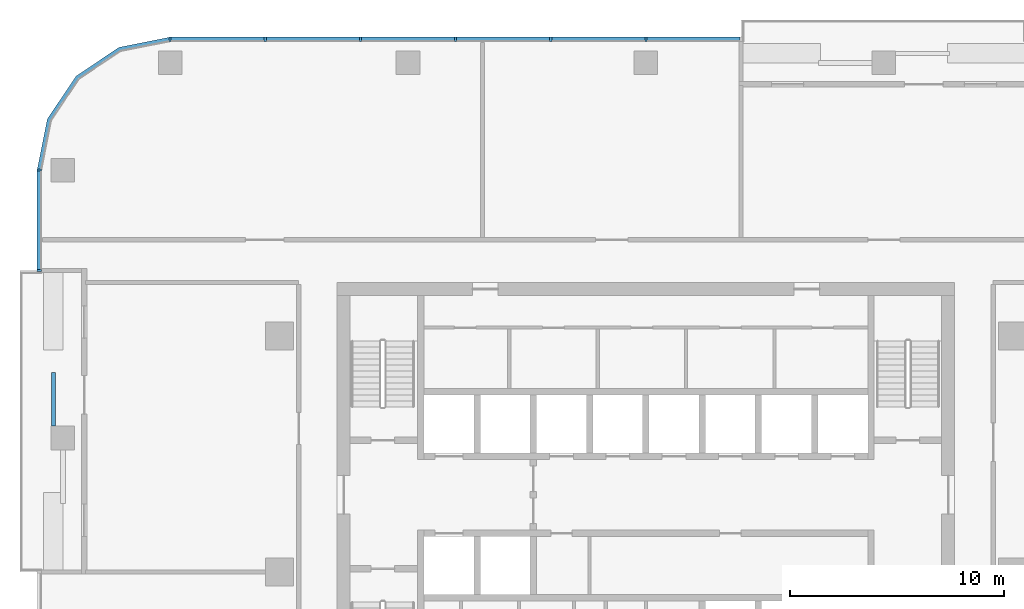
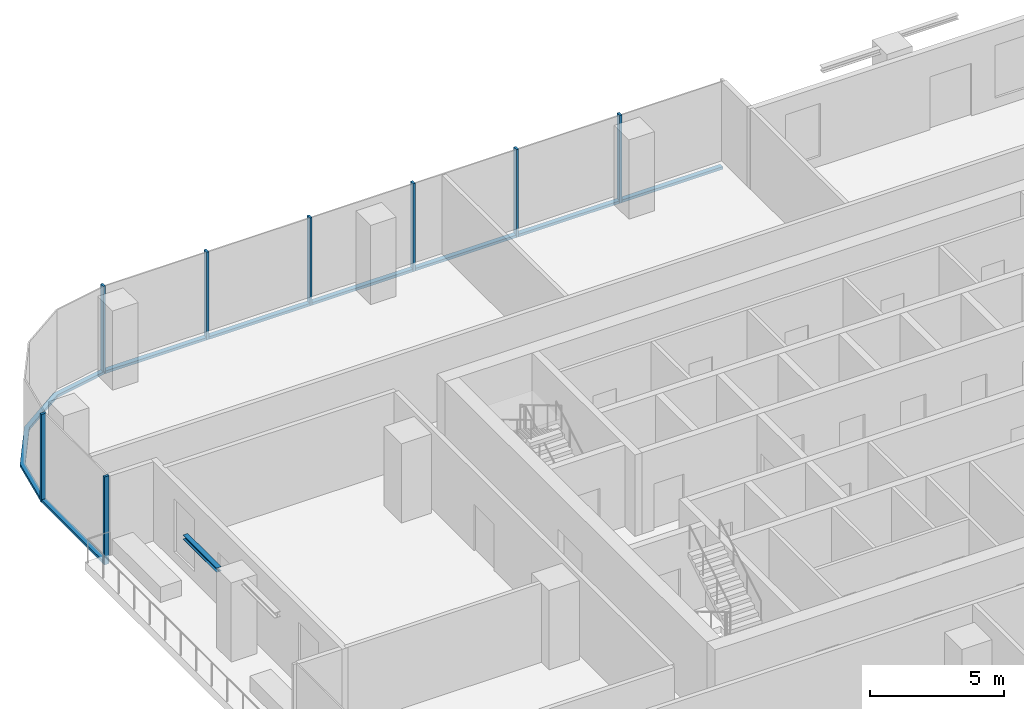
# One storey, part 4 of 14: 16 members, 1 beam, 3 elements without a shape of their own.
"""IFC4 building model written with IfcOpenShell, lengths in metres."""

from ifc_helpers import new_model, si_unit, direction, frame, origin, origin_2d, place, context, subcontext, project, spatial, polyline, rectangle, i_section, outline, extrude, material, material_profile, profile_set, type_object, element, aggregate, save


model = new_model("IFC4")

# Units and contexts
model_context = context("Model", 3, precision=1e-05, world=origin(), true_north=direction((0.0, 1.0)))
body_context = subcontext(model_context, "Body", "Model", "MODEL_VIEW")
ifc_project = project(units=[si_unit("LENGTHUNIT", "METRE"), si_unit("AREAUNIT", "SQUARE_METRE"), si_unit("VOLUMEUNIT", "CUBIC_METRE"), si_unit("PLANEANGLEUNIT", "RADIAN"), si_unit("MASSUNIT", "GRAM", prefix="KILO")], contexts=[model_context])

# Site, building, storey
site_placement = place(None, origin())
site = spatial("IfcSite", under=ifc_project, at=site_placement, CompositionType="ELEMENT")
building_placement = place(site_placement, origin())
building = spatial("IfcBuilding", under=site, at=building_placement, Name="Mopane Tessera Tower", CompositionType="ELEMENT")
storey_placement = place(building_placement, frame((0.0, 0.0, 239.0)))
storey = spatial("IfcBuildingStorey", under=building, at=storey_placement, Name="L51", CompositionType="ELEMENT", Elevation=239.0)

# Curtain wall, members
ifc_material_1 = material(Name="Aluminium frame", Category="aluminium")
curtain_wall_type = type_object("IfcCurtainWallType", Name="Unitised curtain wall", PredefinedType="NOTDEFINED", material=ifc_material_1)
curtain_wall_1_placement = place(storey_placement, origin())
curtain_wall_1 = element("IfcCurtainWall", 1, at=curtain_wall_1_placement, inside=storey, type_object=curtain_wall_type, Name="e:cw:L51:N:4", PredefinedType="NOTDEFINED")
ifc_material_2 = material(Name="Aluminium frame", Category="aluminium")
ifc_material_profile_1 = material_profile(ifc_material_2, rectangle(XDim=0.10009765625, YDim=0.199951171875, at=origin_2d()))
ifc_profile_set_1 = profile_set([ifc_material_profile_1], Name="Aluminium frame")
member_type_1 = type_object("IfcMemberType", Name="Aluminium mullion 100 x 200", PredefinedType="MULLION", material=ifc_profile_set_1)
member_1_placement = place(storey_placement, frame((0.0, 24.85009765625, -0.39990234375), z_axis=(0.0, 0.0, 1.0), x_axis=(-1.0, 0.0, 0.0)))
member_1 = element("IfcMember", 2, at=member_1_placement, type_object=member_type_1, Name="e:cw:L51:N:4:mu5", PredefinedType="MULLION", context=body_context, shape_type="SweptSolid", body=[
    extrude(rectangle(XDim=0.10009765625, YDim=0.199951171875, at=origin_2d()), origin(), (0.0, 0.0, 1.0), 4.0),
])
member_2_placement = place(storey_placement, frame((-4.43994140625, 24.85009765625, -0.39990234375), z_axis=(0.0, 0.0, 1.0), x_axis=(-1.0, 0.0, 0.0)))
member_2 = element("IfcMember", 3, at=member_2_placement, type_object=member_type_1, Name="e:cw:L51:N:4:mu6", PredefinedType="MULLION", context=body_context, shape_type="SweptSolid", body=[
    extrude(rectangle(XDim=0.10009765625, YDim=0.199951171875, at=origin_2d()), origin(), (0.0, 0.0, 1.0), 4.0),
])
member_3_placement = place(storey_placement, frame((-8.8798828125, 24.85009765625, -0.39990234375), z_axis=(0.0, 0.0, 1.0), x_axis=(-1.0, 0.0, 0.0)))
member_3 = element("IfcMember", 4, at=member_3_placement, type_object=member_type_1, Name="e:cw:L51:N:4:mu7", PredefinedType="MULLION", context=body_context, shape_type="SweptSolid", body=[
    extrude(rectangle(XDim=0.10009765625, YDim=0.199951171875, at=origin_2d()), origin(), (0.0, 0.0, 1.0), 4.0),
])
member_4_placement = place(storey_placement, frame((-13.320068359375, 24.85009765625, -0.39990234375), z_axis=(0.0, 0.0, 1.0), x_axis=(-1.0, 0.0, 0.0)))
member_4 = element("IfcMember", 5, at=member_4_placement, type_object=member_type_1, Name="e:cw:L51:N:4:mu8", PredefinedType="MULLION", context=body_context, shape_type="SweptSolid", body=[
    extrude(rectangle(XDim=0.10009765625, YDim=0.199951171875, at=origin_2d()), origin(), (0.0, 0.0, 1.0), 4.0),
])
member_5_placement = place(storey_placement, frame((-17.760009765625, 24.85009765625, -0.39990234375), z_axis=(0.0, 0.0, 1.0), x_axis=(-1.0, 0.0, 0.0)))
member_5 = element("IfcMember", 6, at=member_5_placement, type_object=member_type_1, Name="e:cw:L51:N:4:mu9", PredefinedType="MULLION", context=body_context, shape_type="SweptSolid", body=[
    extrude(rectangle(XDim=0.10009765625, YDim=0.199951171875, at=origin_2d()), origin(), (0.0, 0.0, 1.0), 4.0),
])
member_6_placement = place(storey_placement, frame((-22.199951171875, 24.85009765625, -0.39990234375), z_axis=(0.0, 0.0, 1.0), x_axis=(-1.0, 0.0, 0.0)))
member_6 = element("IfcMember", 7, at=member_6_placement, type_object=member_type_1, Name="e:cw:L51:N:4:mu10", PredefinedType="MULLION", context=body_context, shape_type="SweptSolid", body=[
    extrude(rectangle(XDim=0.10009765625, YDim=0.199951171875, at=origin_2d()), origin(), (0.0, 0.0, 1.0), 4.0),
])

curtain_wall_2_placement = place(storey_placement, origin())
curtain_wall_2 = element("IfcCurtainWall", 8, at=curtain_wall_2_placement, inside=storey, type_object=curtain_wall_type, Name="e:cw:L51:W:0", PredefinedType="NOTDEFINED")
member_7_placement = place(storey_placement, frame((-28.300048828125, 18.75, -0.39990234375), z_axis=(0.0, 0.0, 1.0), x_axis=(0.0, -1.0, 0.0)))
member_7 = element("IfcMember", 9, at=member_7_placement, type_object=member_type_1, Name="e:cw:L51:W:0:mu0", PredefinedType="MULLION", context=body_context, shape_type="SweptSolid", body=[
    extrude(rectangle(XDim=0.10009765625, YDim=0.199951171875, at=origin_2d()), origin(), (0.0, 0.0, 1.0), 4.0),
])
member_8_placement = place(storey_placement, frame((-28.300048828125, 14.0625, -0.39990234375), z_axis=(0.0, 0.0, 1.0), x_axis=(0.0, -1.0, 0.0)))
member_8 = element("IfcMember", 10, at=member_8_placement, type_object=member_type_1, Name="e:cw:L51:W:0:mu1", PredefinedType="MULLION", context=body_context, shape_type="SweptSolid", body=[
    extrude(rectangle(XDim=0.10009765625, YDim=0.199951171875, at=origin_2d()), origin(), (0.0, 0.0, 1.0), 4.0),
])

# Member
ifc_material_3 = material(Name="Aluminium frame", Category="aluminium")
ifc_material_profile_2 = material_profile(ifc_material_3, rectangle(XDim=0.199951171875, YDim=0.1201171875, at=origin_2d()))
ifc_profile_set_2 = profile_set([ifc_material_profile_2], Name="Aluminium frame")
member_type_2 = type_object("IfcMemberType", Name="Aluminium transom 200 x 120", PredefinedType="USERDEFINED", material=ifc_profile_set_2)
member_9_placement = place(storey_placement, frame((4.389892578125, 24.85009765625, -0.340087890625), z_axis=(-1.0, 0.0, 0.0), x_axis=(0.0, -1.0, 0.0)))
member_9 = element("IfcMember", 11, at=member_9_placement, type_object=member_type_2, Name="e:cw:L51:N:4:tr4", ObjectType="TRANSOM", PredefinedType="USERDEFINED", context=body_context, shape_type="SweptSolid", body=[
    extrude(rectangle(XDim=0.199951171875, YDim=0.1201171875, at=origin_2d()), origin(), (0.0, 0.0, 1.0), 4.33984375),
])

member_10_placement = place(storey_placement, frame((-0.050048828125, 24.85009765625, -0.340087890625), z_axis=(-1.0, 0.0, 0.0), x_axis=(0.0, -1.0, 0.0)))
member_10 = element("IfcMember", 12, at=member_10_placement, type_object=member_type_2, Name="e:cw:L51:N:4:tr5", ObjectType="TRANSOM", PredefinedType="USERDEFINED", context=body_context, shape_type="SweptSolid", body=[
    extrude(rectangle(XDim=0.199951171875, YDim=0.1201171875, at=origin_2d()), origin(), (0.0, 0.0, 1.0), 4.33984375),
])

member_11_placement = place(storey_placement, frame((-4.489990234375, 24.85009765625, -0.340087890625), z_axis=(-1.0, 0.0, 0.0), x_axis=(0.0, -1.0, 0.0)))
member_11 = element("IfcMember", 13, at=member_11_placement, type_object=member_type_2, Name="e:cw:L51:N:4:tr6", ObjectType="TRANSOM", PredefinedType="USERDEFINED", context=body_context, shape_type="SweptSolid", body=[
    extrude(rectangle(XDim=0.199951171875, YDim=0.1201171875, at=origin_2d()), origin(), (0.0, 0.0, 1.0), 4.340087890625),
])

member_12_placement = place(storey_placement, frame((-8.929931640625, 24.85009765625, -0.340087890625), z_axis=(-1.0, 0.0, 0.0), x_axis=(0.0, -1.0, 0.0)))
member_12 = element("IfcMember", 14, at=member_12_placement, type_object=member_type_2, Name="e:cw:L51:N:4:tr7", ObjectType="TRANSOM", PredefinedType="USERDEFINED", context=body_context, shape_type="SweptSolid", body=[
    extrude(rectangle(XDim=0.199951171875, YDim=0.1201171875, at=origin_2d()), origin(), (0.0, 0.0, 1.0), 4.340087890625),
])

member_13_placement = place(storey_placement, frame((-13.3701171875, 24.85009765625, -0.340087890625), z_axis=(-1.0, 0.0, 0.0), x_axis=(0.0, -1.0, 0.0)))
member_13 = element("IfcMember", 15, at=member_13_placement, type_object=member_type_2, Name="e:cw:L51:N:4:tr8", ObjectType="TRANSOM", PredefinedType="USERDEFINED", context=body_context, shape_type="SweptSolid", body=[
    extrude(rectangle(XDim=0.199951171875, YDim=0.1201171875, at=origin_2d()), origin(), (0.0, 0.0, 1.0), 4.33984375),
])

member_14_placement = place(storey_placement, frame((-17.81005859375, 24.85009765625, -0.340087890625), z_axis=(-1.0, 0.0, 0.0), x_axis=(0.0, -1.0, 0.0)))
member_14 = element("IfcMember", 16, at=member_14_placement, type_object=member_type_2, Name="e:cw:L51:N:4:tr9", ObjectType="TRANSOM", PredefinedType="USERDEFINED", context=body_context, shape_type="SweptSolid", body=[
    extrude(rectangle(XDim=0.199951171875, YDim=0.1201171875, at=origin_2d()), origin(), (0.0, 0.0, 1.0), 4.33984375),
])

aggregate(curtain_wall_1, [member_1, member_2, member_3, member_4, member_5, member_6, member_9, member_10, member_11, member_12, member_13, member_14])

# Curtain wall, member
curtain_wall_3_placement = place(storey_placement, origin())
curtain_wall_3 = element("IfcCurtainWall", 17, at=curtain_wall_3_placement, inside=storey, type_object=curtain_wall_type, Name="e:cw:L51:CN", PredefinedType="NOTDEFINED")
member_15_placement = place(storey_placement, frame((0.0, 0.0, -0.39990234375)))
member_15 = element("IfcMember", 18, at=member_15_placement, type_object=member_type_2, Name="e:cw:L51:CN:tr", ObjectType="TRANSOM", PredefinedType="USERDEFINED", context=body_context, shape_type="SweptSolid", body=[
    extrude(outline(polyline([(-22.199951171875, 24.75), (-24.49609375, 24.293212890625), (-26.442626953125, 22.99267578125), (-27.7431640625, 21.046142578125), (-28.199951171875, 18.75), (-28.39990234375, 18.75), (-27.927978515625, 21.12255859375), (-26.583984375, 23.134033203125), (-24.57275390625, 24.47802734375), (-22.199951171875, 24.949951171875), (-22.199951171875, 24.75)])), origin(), (0.0, 0.0, 1.0), 0.119873046875),
])
aggregate(curtain_wall_3, [member_15])

# Member
member_16_placement = place(storey_placement, frame((-28.300048828125, 18.699951171875, -0.340087890625), z_axis=(0.0, -1.0, 0.0), x_axis=(1.0, 0.0, 0.0)))
member_16 = element("IfcMember", 19, at=member_16_placement, type_object=member_type_2, Name="e:cw:L51:W:0:tr0", ObjectType="TRANSOM", PredefinedType="USERDEFINED", context=body_context, shape_type="SweptSolid", body=[
    extrude(rectangle(XDim=0.199951171875, YDim=0.1201171875, at=origin_2d()), origin(), (0.0, 0.0, 1.0), 4.58740234375),
])

aggregate(curtain_wall_2, [member_7, member_8, member_16])

# Beam
ifc_material_4 = material(Name="Structural steel S460", Category="steel")
ifc_material_profile_3 = material_profile(ifc_material_4, i_section(OverallWidth=0.199951171875, OverallDepth=0.199951171875, WebThickness=0.009033203125, FlangeThickness=0.014892578125, FilletRadius=0.01806640625, at=origin_2d()))
ifc_profile_set_3 = profile_set([ifc_material_profile_3], Name="Structural steel S460")
beam_type = type_object("IfcBeamType", Name="Terrace trimmer beam HE 200 B", PredefinedType="BEAM", material=ifc_profile_set_3)
beam_placement = place(storey_placement, frame((-27.639892578125, 6.802978515625, 3.5), z_axis=(0.0, 1.0, 0.0), x_axis=(-1.0, 0.0, 0.0)))
element("IfcBeam", 20, at=beam_placement, inside=storey, type_object=beam_type, Name="Terrace trimmer beam N3 L52", PredefinedType="BEAM", context=body_context, shape_type="SweptSolid", body=[
    extrude(i_section(OverallWidth=0.199951171875, OverallDepth=0.199951171875, WebThickness=0.009033203125, FlangeThickness=0.014892578125, FilletRadius=0.01806640625, at=origin_2d()), origin(), (0.0, 0.0, 1.0), 2.5),
])

save(model, "model.ifc")
